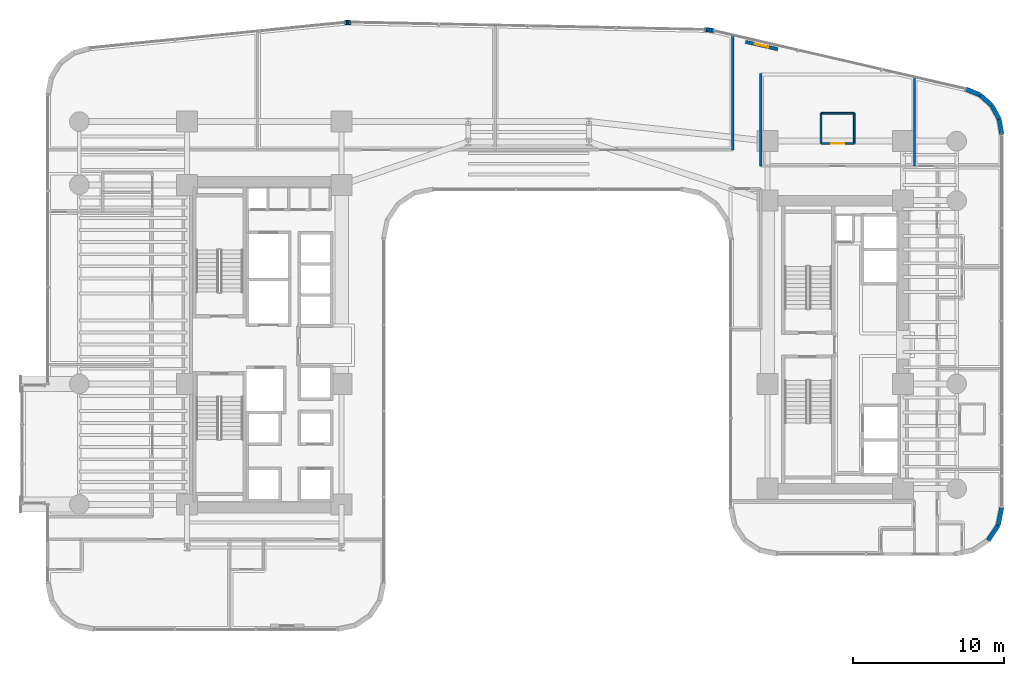
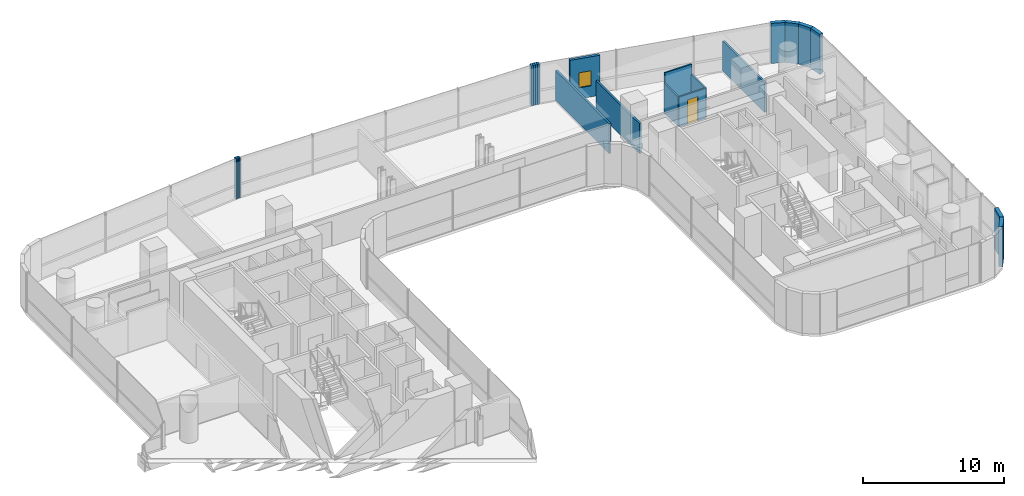
# One storey, part 35 of 41: 22 walls, 1 door, 1 window, 2 openings.
"""IFC4 building model written with IfcOpenShell, lengths in metres."""

from ifc_helpers import new_model, si_unit, direction, frame, frame_2d, origin, place, context, subcontext, project, spatial, rectangle, extrude, material, layer, layer_set, type_object, element, fill, save


model = new_model("IFC4")

# Units and contexts
model_context = context("Model", 3, precision=1e-05, world=origin(), true_north=direction((0.0, 1.0)))
body_context = subcontext(model_context, "Body", "Model", "MODEL_VIEW")
ifc_project = project(units=[si_unit("LENGTHUNIT", "METRE"), si_unit("AREAUNIT", "SQUARE_METRE"), si_unit("VOLUMEUNIT", "CUBIC_METRE"), si_unit("PLANEANGLEUNIT", "RADIAN"), si_unit("MASSUNIT", "GRAM", prefix="KILO")], contexts=[model_context])

# Site, building, storey
site_placement = place(None, origin())
site = spatial("IfcSite", under=ifc_project, at=site_placement, CompositionType="ELEMENT")
building_placement = place(site_placement, origin())
building = spatial("IfcBuilding", under=site, at=building_placement, Name="Valdorenza Pilgrim Sanctuary Tower", CompositionType="ELEMENT")
storey_placement = place(building_placement, frame((0.0, 0.0, 63.0)))
storey = spatial("IfcBuildingStorey", under=building, at=storey_placement, Name="L15", CompositionType="ELEMENT", Elevation=63.0)

# Walls
ifc_material_1 = material(Name="Acoustic twin-stud gypsum partition", Category="gypsum")
ifc_layer_1 = layer(ifc_material_1, 0.159912109375, Name="Acoustic twin-stud gypsum partition")
ifc_layer_set_1 = layer_set([ifc_layer_1], Name="Acoustic twin-stud gypsum partition")
wall_type_1 = type_object("IfcWallType", Name="WAL-COR-160", PredefinedType="PARTITIONING", material=ifc_layer_set_1)
wall_1_placement = place(storey_placement, frame((13.550048828125, 12.919921875, 0.0), z_axis=(0.0, 0.0, 1.0), x_axis=(0.0, 1.0, 0.0)))
element("IfcWall", 1, at=wall_1_placement, inside=storey, type_object=wall_type_1, Name="L15 North Band East Closure", PredefinedType="PARTITIONING", context=body_context, shape_type="SweptSolid", body=[
    extrude(rectangle(XDim=7.609375, YDim=0.159912109375, at=frame_2d((3.8046875, 0.0))), origin(), (0.0, 0.0, 1.0), 2.5830078125),
])
wall_2_placement = place(storey_placement, frame((15.39990234375, 11.85009765625, 0.0), z_axis=(0.0, 0.0, 1.0), x_axis=(0.0, 1.0, 0.0)))
element("IfcWall", 2, at=wall_2_placement, inside=storey, type_object=wall_type_1, Name="L15 Wing B North West Wall", PredefinedType="PARTITIONING", context=body_context, shape_type="SweptSolid", body=[
    extrude(rectangle(XDim=6.14990234375, YDim=0.159912109375, at=frame_2d((3.074951171875, 0.0))), origin(), (0.0, 0.0, 1.0), 2.5830078125),
])
wall_3_placement = place(storey_placement, frame((25.60009765625, 11.85009765625, 0.0), z_axis=(0.0, 0.0, 1.0), x_axis=(0.0, 1.0, 0.0)))
element("IfcWall", 3, at=wall_3_placement, inside=storey, type_object=wall_type_1, Name="L15 Wing B North East Wall", PredefinedType="PARTITIONING", context=body_context, shape_type="SweptSolid", body=[
    extrude(rectangle(XDim=5.8984375, YDim=0.159912109375, at=frame_2d((2.94921875, 0.0))), origin(), (0.0, 0.0, 1.0), 2.5830078125),
])
ifc_material_2 = material(Name="Honed travertine limestone", Category="masonry")
ifc_layer_2 = layer(ifc_material_2, 0.300048828125, Name="Honed travertine limestone")
ifc_layer_set_2 = layer_set([ifc_layer_2], Name="Honed travertine limestone")
wall_type_2 = type_object("IfcWallType", Name="WAL-EXT-300", PredefinedType="SOLIDWALL", material=ifc_layer_set_2)
wall_4_placement = place(storey_placement, frame((-12.181884765625, 21.371337890625, 0.0), z_axis=(0.0, 0.0, 1.0), x_axis=(0.996527790842, 0.08326080759, 0.0)))
element("IfcWall", 4, at=wall_4_placement, inside=storey, type_object=wall_type_2, Name="L15 Rounded Wind-Corner Stone Pier 7", PredefinedType="SOLIDWALL", context=body_context, shape_type="SweptSolid", body=[
    extrude(rectangle(XDim=0.09375, YDim=0.300048828125, at=frame_2d((0.046875, 0.0))), origin(), (0.0, 0.0, 1.0), 3.4599609375),
])
wall_5_placement = place(storey_placement, frame((-12.08837890625, 21.379150390625, 0.0), z_axis=(0.0, 0.0, 1.0), x_axis=(0.998476480444, 0.055178963393, 0.0)))
element("IfcWall", 5, at=wall_5_placement, inside=storey, type_object=wall_type_2, Name="L15 Rounded Wind-Corner Stone Pier 8", PredefinedType="SOLIDWALL", context=body_context, shape_type="SweptSolid", body=[
    extrude(rectangle(XDim=0.093017578125, YDim=0.300048828125, at=frame_2d((0.04638671875, 0.0))), origin(), (0.0, 0.0, 1.0), 3.4599609375),
])
wall_6_placement = place(storey_placement, frame((-11.99560546875, 21.38427734375, 0.0), z_axis=(0.0, 0.0, 1.0), x_axis=(0.999722573757, 0.023553673204, 0.0)))
element("IfcWall", 6, at=wall_6_placement, inside=storey, type_object=wall_type_2, Name="L15 Rounded Wind-Corner Stone Pier 9", PredefinedType="SOLIDWALL", context=body_context, shape_type="SweptSolid", body=[
    extrude(rectangle(XDim=0.09326171875, YDim=0.300048828125, at=frame_2d((0.046630859375, 0.0))), origin(), (0.0, 0.0, 1.0), 3.4599609375),
])
wall_7_placement = place(storey_placement, frame((-11.90234375, 21.386474609375, 0.0), z_axis=(0.0, 0.0, 1.0), x_axis=(0.999986507273, -0.005194735103, 0.0)))
element("IfcWall", 7, at=wall_7_placement, inside=storey, type_object=wall_type_2, Name="L15 Rounded Wind-Corner Stone Pier 10", PredefinedType="SOLIDWALL", context=body_context, shape_type="SweptSolid", body=[
    extrude(rectangle(XDim=0.093994140625, YDim=0.300048828125, at=frame_2d((0.046875, 0.0))), origin(), (0.0, 0.0, 1.0), 3.4599609375),
])
wall_8_placement = place(storey_placement, frame((11.665771484375, 20.89697265625, 0.0), z_axis=(0.0, 0.0, 1.0), x_axis=(0.998885297239, -0.047203421059, 0.0)))
element("IfcWall", 8, at=wall_8_placement, inside=storey, type_object=wall_type_2, Name="L15 Rounded Wind-Corner Stone Pier 12", PredefinedType="SOLIDWALL", context=body_context, shape_type="SweptSolid", body=[
    extrude(rectangle(XDim=0.160400390625, YDim=0.300048828125, at=frame_2d((0.080078125, 0.0))), origin(), (0.0, 0.0, 1.0), 3.4599609375),
])
wall_9_placement = place(storey_placement, frame((11.825927734375, 20.889404296875, 0.0), z_axis=(0.0, 0.0, 1.0), x_axis=(0.995172891136, -0.098137234257, 0.0)))
element("IfcWall", 9, at=wall_9_placement, inside=storey, type_object=wall_type_2, Name="L15 Rounded Wind-Corner Stone Pier 13", PredefinedType="SOLIDWALL", context=body_context, shape_type="SweptSolid", body=[
    extrude(rectangle(XDim=0.1591796875, YDim=0.300048828125, at=frame_2d((0.07958984375, 0.0))), origin(), (0.0, 0.0, 1.0), 3.4599609375),
])
wall_10_placement = place(storey_placement, frame((11.984375, 20.873779296875, 0.0), z_axis=(0.0, 0.0, 1.0), x_axis=(0.988846069207, -0.148941100486, 0.0)))
element("IfcWall", 10, at=wall_10_placement, inside=storey, type_object=wall_type_2, Name="L15 Rounded Wind-Corner Stone Pier 14", PredefinedType="SOLIDWALL", context=body_context, shape_type="SweptSolid", body=[
    extrude(rectangle(XDim=0.158935546875, YDim=0.300048828125, at=frame_2d((0.07958984375, 0.0))), origin(), (0.0, 0.0, 1.0), 3.4599609375),
])
wall_11_placement = place(storey_placement, frame((12.1416015625, 20.85009765625, 0.0), z_axis=(0.0, 0.0, 1.0), x_axis=(0.979991950448, -0.19903712482, 0.0)))
element("IfcWall", 11, at=wall_11_placement, inside=storey, type_object=wall_type_2, Name="L15 Rounded Wind-Corner Stone Pier 15", PredefinedType="SOLIDWALL", context=body_context, shape_type="SweptSolid", body=[
    extrude(rectangle(XDim=0.16064453125, YDim=0.300048828125, at=frame_2d((0.080322265625, 0.0))), origin(), (0.0, 0.0, 1.0), 3.4599609375),
])

# Wall, opening, window
wall_12_placement = place(storey_placement, frame((14.388671875, 20.089599609375, 0.0), z_axis=(0.0, 0.0, 1.0), x_axis=(0.974400545997, -0.224818984875, 0.0)))
wall_12 = element("IfcWall", 12, at=wall_12_placement, inside=storey, type_object=wall_type_2, Name="L15 Operable Ventilation Sash Jamb Pier", PredefinedType="SOLIDWALL", context=body_context, shape_type="SweptSolid", body=[
    extrude(rectangle(XDim=2.2001953125, YDim=0.219970703125, at=frame_2d((1.10009765625, 0.0))), origin(), (0.0, 0.0, 1.0), 3.4599609375),
])
opening_1_placement = place(wall_12_placement, frame((0.64990234375, 0.0, 0.949951171875)))
opening_1 = element("IfcOpeningElement", 13, at=opening_1_placement, cuts=wall_12, Name="Opening WN-OP1", PredefinedType="OPENING", context=body_context, shape_type="SweptSolid", body=[
    extrude(rectangle(XDim=0.89990234375, YDim=1.300048828125, at=frame_2d((0.449951171875, 0.64990234375))), frame((0.0, 0.125, 0.0), z_axis=(0.0, -1.0, 0.0), x_axis=(1.0, 0.0, 0.0)), (0.0, 0.0, 1.0), 0.249755859375),
])
ifc_material_3 = material(Name="Ceramic-fritted low-E IGU glazing", Category="glass")
window_type = type_object("IfcWindowType", Name="WIN-OPN-900", PartitioningType="SINGLE_PANEL", PredefinedType="WINDOW", material=ifc_material_3)
window_placement = place(opening_1_placement, origin())
window = element("IfcWindow", 14, at=window_placement, inside=storey, type_object=window_type, Name="L15 Parallel-Pop-Out Operable Facade Panel", OverallHeight=1.300048828125, OverallWidth=0.89990234375, PartitioningType="SINGLE_PANEL", PredefinedType="WINDOW", context=body_context, shape_type="SweptSolid", body=[
    extrude(rectangle(XDim=0.89990234375, YDim=1.300048828125, at=frame_2d((0.449951171875, 0.64990234375))), frame((0.0, 0.030029296875, 0.0), z_axis=(0.0, -1.0, 0.0), x_axis=(1.0, 0.0, 0.0)), (0.0, 0.0, 1.0), 0.06005859375),
])
fill(opening_1, window)

# Walls
wall_13_placement = place(storey_placement, frame((28.98583984375, 16.96728515625, 0.0), z_axis=(0.0, 0.0, 1.0), x_axis=(0.923083852684, -0.384598753136, 0.0)))
element("IfcWall", 15, at=wall_13_placement, inside=storey, type_object=wall_type_2, Name="L15 Rounded Wind-Corner Stone Pier 17", PredefinedType="SOLIDWALL", context=body_context, shape_type="SweptSolid", body=[
    extrude(rectangle(XDim=1.042236328125, YDim=0.300048828125, at=frame_2d((0.52099609375, 0.0))), origin(), (0.0, 0.0, 1.0), 3.4599609375),
])
wall_14_placement = place(storey_placement, frame((29.947998046875, 16.56640625, 0.0), z_axis=(0.0, 0.0, 1.0), x_axis=(0.744585645533, -0.66752694063, 0.0)))
element("IfcWall", 16, at=wall_14_placement, inside=storey, type_object=wall_type_2, Name="L15 Rounded Wind-Corner Stone Pier 18", PredefinedType="SOLIDWALL", context=body_context, shape_type="SweptSolid", body=[
    extrude(rectangle(XDim=1.032958984375, YDim=0.300048828125, at=frame_2d((0.5166015625, 0.0))), origin(), (0.0, 0.0, 1.0), 3.4599609375),
])
wall_15_placement = place(storey_placement, frame((30.717041015625, 15.876953125, 0.0), z_axis=(0.0, 0.0, 1.0), x_axis=(0.482971098131, -0.875636293429, 0.0)))
element("IfcWall", 17, at=wall_15_placement, inside=storey, type_object=wall_type_2, Name="L15 Rounded Wind-Corner Stone Pier 19", PredefinedType="SOLIDWALL", context=body_context, shape_type="SweptSolid", body=[
    extrude(rectangle(XDim=1.03271484375, YDim=0.300048828125, at=frame_2d((0.516357421875, 0.0))), origin(), (0.0, 0.0, 1.0), 3.4599609375),
])
wall_16_placement = place(storey_placement, frame((31.2158203125, 14.97265625, 0.0), z_axis=(0.0, 0.0, 1.0), x_axis=(0.167019462117, -0.985953598946, 0.0)))
element("IfcWall", 18, at=wall_16_placement, inside=storey, type_object=wall_type_2, Name="L15 Rounded Wind-Corner Stone Pier 20", PredefinedType="SOLIDWALL", context=body_context, shape_type="SweptSolid", body=[
    extrude(rectangle(XDim=1.042236328125, YDim=0.300048828125, at=frame_2d((0.52099609375, 0.0))), origin(), (0.0, 0.0, 1.0), 3.4599609375),
])
wall_17_placement = place(storey_placement, frame((31.389892578125, -10.789306640625, 0.0), z_axis=(0.0, 0.0, 1.0), x_axis=(-0.194996050505, -0.980804027463, 0.0)))
element("IfcWall", 19, at=wall_17_placement, inside=storey, type_object=wall_type_2, Name="L15 Rounded Wind-Corner Stone Pier 22", PredefinedType="SOLIDWALL", context=body_context, shape_type="SweptSolid", body=[
    extrude(rectangle(XDim=1.2158203125, YDim=0.300048828125, at=frame_2d((0.60791015625, 0.0))), origin(), (0.0, 0.0, 1.0), 3.4599609375),
])
wall_18_placement = place(storey_placement, frame((31.15283203125, -11.981689453125, 0.0), z_axis=(0.0, 0.0, 1.0), x_axis=(-0.555635100982, -0.831426265255, 0.0)))
element("IfcWall", 20, at=wall_18_placement, inside=storey, type_object=wall_type_2, Name="L15 Rounded Wind-Corner Stone Pier 23", PredefinedType="SOLIDWALL", context=body_context, shape_type="SweptSolid", body=[
    extrude(rectangle(XDim=1.204833984375, YDim=0.300048828125, at=frame_2d((0.6025390625, 0.0))), origin(), (0.0, 0.0, 1.0), 3.4599609375),
])
ifc_material_4 = material(Name="Moisture-resistant gypsum partition", Category="gypsum")
ifc_layer_3 = layer(ifc_material_4, 0.1201171875, Name="Moisture-resistant gypsum partition")
ifc_layer_set_3 = layer_set([ifc_layer_3], Name="Moisture-resistant gypsum partition")
wall_type_3 = type_object("IfcWallType", Name="WAL-INT-120", PredefinedType="PARTITIONING", material=ifc_layer_set_3)
for number, where, z_axis, x_axis, name in (
    (21, (19.39990234375, 13.35009765625, 0.0), (0.0, 0.0, 1.0), (0.0, 1.0, 0.0), "L15 East North Guest Room L15-EN1 En-suite West Wall"),
    (22, (21.60009765625, 13.35009765625, 0.0), (0.0, 0.0, 1.0), (0.0, 1.0, 0.0), "L15 East North Guest Room L15-EN1 En-suite East Wall"),
):
    element("IfcWall", number, at=place(storey_placement, frame(where, z_axis=z_axis, x_axis=x_axis)), inside=storey, type_object=wall_type_3, Name=name, PredefinedType="PARTITIONING", context=body_context, shape_type="SweptSolid", body=[
        extrude(rectangle(XDim=2.0, YDim=0.1201171875, at=frame_2d((1.0, 0.0))), origin(), (0.0, 0.0, 1.0), 2.5830078125),
    ])
wall_19_placement = place(storey_placement, frame((19.39990234375, 15.35009765625, 0.0), z_axis=(0.0, 0.0, 1.0), x_axis=(1.0, 0.0, 0.0)))
element("IfcWall", 23, at=wall_19_placement, inside=storey, type_object=wall_type_3, Name="L15 East North Guest Room L15-EN1 En-suite Back Wall", PredefinedType="PARTITIONING", context=body_context, shape_type="SweptSolid", body=[
    extrude(rectangle(XDim=2.2001953125, YDim=0.1201171875, at=frame_2d((1.10009765625, 0.0))), origin(), (0.0, 0.0, 1.0), 3.4599609375),
])

# Wall, opening, door
wall_20_placement = place(storey_placement, frame((19.39990234375, 13.35009765625, 0.0), z_axis=(0.0, 0.0, 1.0), x_axis=(1.0, 0.0, 0.0)))
wall_20 = element("IfcWall", 24, at=wall_20_placement, inside=storey, type_object=wall_type_3, Name="L15 East North Guest Room L15-EN1 En-suite Door Wall", PredefinedType="PARTITIONING", context=body_context, shape_type="SweptSolid", body=[
    extrude(rectangle(XDim=2.2001953125, YDim=0.1201171875, at=frame_2d((1.10009765625, 0.0))), origin(), (0.0, 0.0, 1.0), 2.5830078125),
])
opening_2_placement = place(wall_20_placement, frame((0.675048828125, 0.0, 0.0)))
opening_2 = element("IfcOpeningElement", 25, at=opening_2_placement, cuts=wall_20, Name="Opening DR-WC1", PredefinedType="OPENING", context=body_context, shape_type="SweptSolid", body=[
    extrude(rectangle(XDim=0.85009765625, YDim=2.10009765625, at=frame_2d((0.425048828125, 1.050048828125))), frame((0.0, 0.074951171875, 0.0), z_axis=(0.0, -1.0, 0.0), x_axis=(1.0, 0.0, 0.0)), (0.0, 0.0, 1.0), 0.14990234375),
])
ifc_material_5 = material(Name="Moisture-resistant lacquered timber", Category="wood")
door_type = type_object("IfcDoorType", Name="DR-BATH-850", OperationType="NOTDEFINED", PredefinedType="DOOR", material=ifc_material_5)
door_placement = place(opening_2_placement, origin())
door = element("IfcDoor", 26, at=door_placement, inside=storey, type_object=door_type, Name="L15 East North Guest Room L15-EN1 En-suite Bathroom Door", OperationType="SINGLE_SWING_RIGHT", OverallHeight=2.10009765625, OverallWidth=0.85009765625, PredefinedType="DOOR", context=body_context, shape_type="SweptSolid", body=[
    extrude(rectangle(XDim=0.85009765625, YDim=2.10009765625, at=frame_2d((0.425048828125, 1.050048828125))), frame((0.0, 0.02490234375, 0.0), z_axis=(0.0, -1.0, 0.0), x_axis=(1.0, 0.0, 0.0)), (0.0, 0.0, 1.0), 0.050048828125),
])
fill(opening_2, door)

save(model, "model.ifc")
